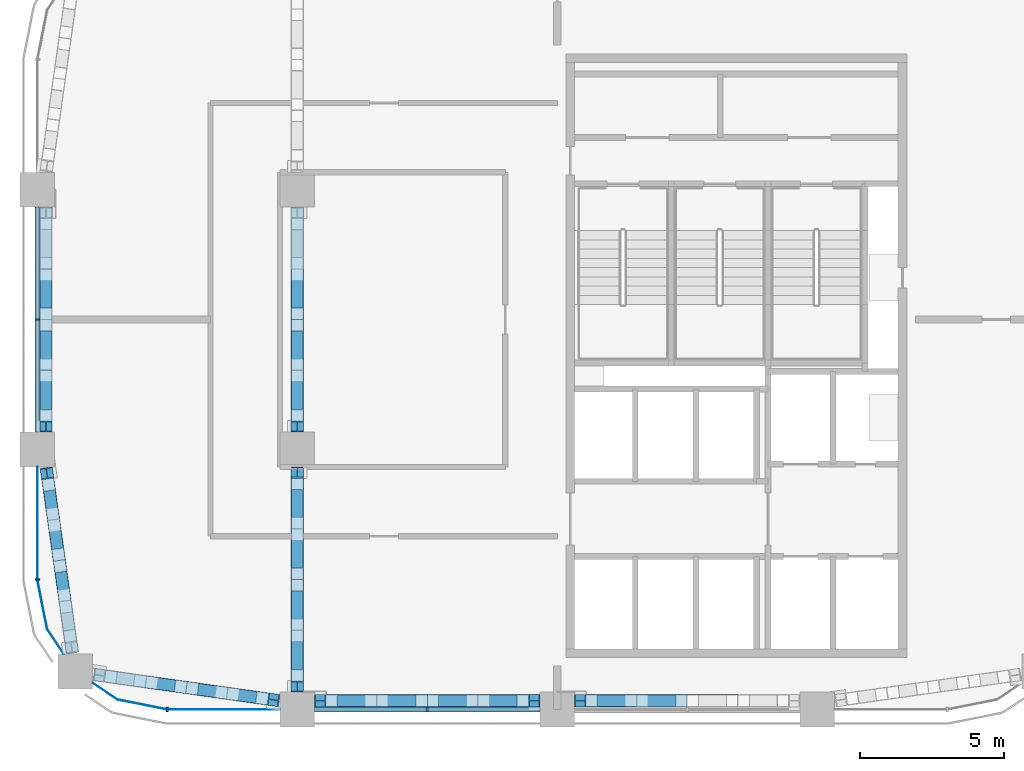
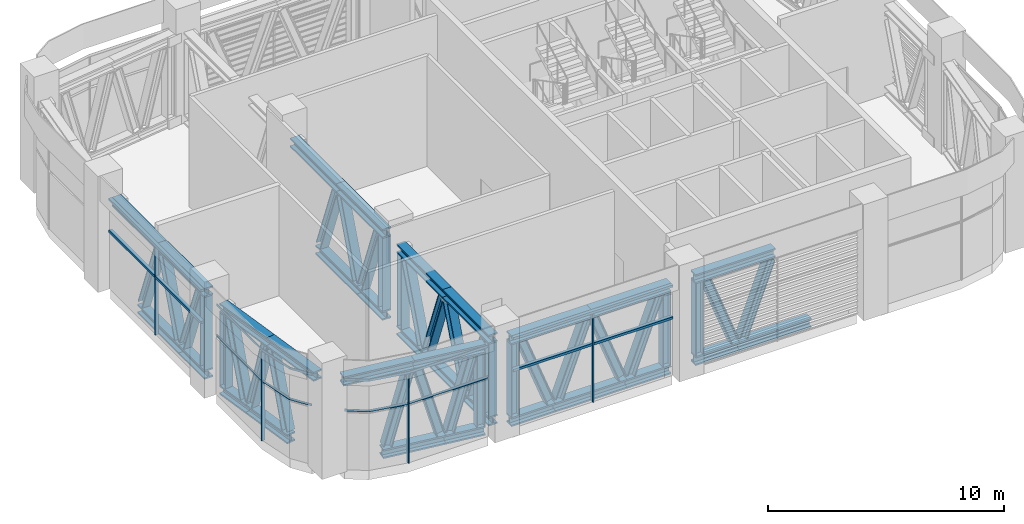
# One storey, part 2 of 14: 72 members, 4 elements without a shape of their own.
"""IFC4 building model written with IfcOpenShell, lengths in metres."""

from ifc_helpers import new_model, si_unit, direction, frame, origin, origin_2d, place, context, subcontext, project, spatial, polyline, rectangle, i_section, outline, extrude, material, material_profile, profile_set, type_object, element, aggregate, save


model = new_model("IFC4")

# Units and contexts
model_context = context("Model", 3, precision=1e-05, world=origin(), true_north=direction((0.0, 1.0)))
body_context = subcontext(model_context, "Body", "Model", "MODEL_VIEW")
ifc_project = project(units=[si_unit("LENGTHUNIT", "METRE"), si_unit("AREAUNIT", "SQUARE_METRE"), si_unit("VOLUMEUNIT", "CUBIC_METRE"), si_unit("PLANEANGLEUNIT", "RADIAN"), si_unit("MASSUNIT", "GRAM", prefix="KILO")], contexts=[model_context])

# Site, building, storey
site_placement = place(None, origin())
site = spatial("IfcSite", under=ifc_project, at=site_placement, CompositionType="ELEMENT")
building_placement = place(site_placement, origin())
building = spatial("IfcBuilding", under=site, at=building_placement, Name="Tessera Arch", CompositionType="ELEMENT")
storey_placement = place(building_placement, frame((0.0, 0.0, 295.199951171875)))
storey = spatial("IfcBuildingStorey", under=building, at=storey_placement, Name="L71", CompositionType="ELEMENT", Elevation=295.199951171875)

# Curtain wall, member
ifc_material_1 = material(Name="CW7 curtain wall")
curtain_wall_type = type_object("IfcCurtainWallType", Name="CW7 curtain wall", PredefinedType="NOTDEFINED", material=ifc_material_1)
curtain_wall_1_placement = place(storey_placement, origin())
curtain_wall_1 = element("IfcCurtainWall", 1, at=curtain_wall_1_placement, inside=storey, type_object=curtain_wall_type, Name="CW7 curtain wall W18.27/1 L71", PredefinedType="NOTDEFINED")
ifc_material_2 = material(Name="Anodised aluminium pale metal", Category="aluminium")
ifc_material_profile_1 = material_profile(ifc_material_2, rectangle(XDim=0.159912109375, YDim=0.06005859375, at=origin_2d()), Name="AL 60x160")
ifc_profile_set_1 = profile_set([ifc_material_profile_1], Name="Anodised aluminium pale metal")
member_type_1 = type_object("IfcMemberType", Name="CW7 mullion", PredefinedType="MULLION", material=ifc_profile_set_1)
member_1_placement = place(storey_placement, frame((18.0, 40.5, 0.0), z_axis=(0.0, 0.0, 1.0), x_axis=(1.0, 0.0, 0.0)))
member_1 = element("IfcMember", 2, at=member_1_placement, type_object=member_type_1, Name="CW7 mullion W18.27/1 1", PredefinedType="MULLION", context=body_context, shape_type="SweptSolid", body=[
    extrude(rectangle(XDim=0.159912109375, YDim=0.06005859375, at=origin_2d()), origin(), (0.0, 0.0, 1.0), 4.580078125),
])

curtain_wall_2_placement = place(storey_placement, origin())
curtain_wall_2 = element("IfcCurtainWall", 3, at=curtain_wall_2_placement, inside=storey, type_object=curtain_wall_type, Name="CW7 curtain wall W18.27/2 L71", PredefinedType="NOTDEFINED")
member_2_placement = place(storey_placement, frame((18.0, 31.5, 0.0), z_axis=(0.0, 0.0, 1.0), x_axis=(1.0, 0.0, 0.0)))
member_2 = element("IfcMember", 4, at=member_2_placement, type_object=member_type_1, Name="CW7 mullion W18.27/2 1", PredefinedType="MULLION", context=body_context, shape_type="SweptSolid", body=[
    extrude(rectangle(XDim=0.159912109375, YDim=0.06005859375, at=origin_2d()), origin(), (0.0, 0.0, 1.0), 4.580078125),
])

curtain_wall_3_placement = place(storey_placement, origin())
curtain_wall_3 = element("IfcCurtainWall", 5, at=curtain_wall_3_placement, inside=storey, type_object=curtain_wall_type, Name="CW7 curtain wall S27.18/0 L71", PredefinedType="NOTDEFINED")
member_3_placement = place(storey_placement, frame((22.5, 27.0, 0.0), z_axis=(0.0, 0.0, 1.0), x_axis=(0.0, 1.0, 0.0)))
member_3 = element("IfcMember", 6, at=member_3_placement, type_object=member_type_1, Name="CW7 mullion S27.18/0 1", PredefinedType="MULLION", context=body_context, shape_type="SweptSolid", body=[
    extrude(rectangle(XDim=0.159912109375, YDim=0.06005859375, at=origin_2d()), origin(), (0.0, 0.0, 1.0), 4.580078125),
])

curtain_wall_4_placement = place(storey_placement, origin())
curtain_wall_4 = element("IfcCurtainWall", 7, at=curtain_wall_4_placement, inside=storey, type_object=curtain_wall_type, Name="CW7 curtain wall S27.18/1 L71", PredefinedType="NOTDEFINED")
member_4_placement = place(storey_placement, frame((31.5, 27.0, 0.0), z_axis=(0.0, 0.0, 1.0), x_axis=(0.0, 1.0, 0.0)))
member_4 = element("IfcMember", 8, at=member_4_placement, type_object=member_type_1, Name="CW7 mullion S27.18/1 1", PredefinedType="MULLION", context=body_context, shape_type="SweptSolid", body=[
    extrude(rectangle(XDim=0.159912109375, YDim=0.06005859375, at=origin_2d()), origin(), (0.0, 0.0, 1.0), 4.580078125),
])

# Member
ifc_material_3 = material(Name="Anodised aluminium pale metal", Category="aluminium")
ifc_material_profile_2 = material_profile(ifc_material_3, rectangle(XDim=0.159912109375, YDim=0.1201171875, at=origin_2d()), Name="AL 160x120")
ifc_profile_set_2 = profile_set([ifc_material_profile_2], Name="Anodised aluminium pale metal")
member_type_2 = type_object("IfcMemberType", Name="CW7 transom", PredefinedType="USERDEFINED", material=ifc_profile_set_2)
member_5_placement = place(storey_placement, frame((18.0, 44.39990234375, 4.64013671875), z_axis=(0.0, -1.0, 0.0), x_axis=(1.0, 0.0, 0.0)))
member_5 = element("IfcMember", 9, at=member_5_placement, type_object=member_type_2, Name="CW7 transom W18.27/1 1.1", ObjectType="TRANSOM", PredefinedType="USERDEFINED", context=body_context, shape_type="SweptSolid", body=[
    extrude(rectangle(XDim=0.159912109375, YDim=0.1201171875, at=origin_2d()), origin(), (0.0, 0.0, 1.0), 7.7998046875),
])

member_6_placement = place(storey_placement, frame((18.0, 44.39990234375, 3.0), z_axis=(0.0, -1.0, 0.0), x_axis=(1.0, 0.0, 0.0)))
member_6 = element("IfcMember", 10, at=member_6_placement, type_object=member_type_2, Name="CW7 transom W18.27/1 2.1", ObjectType="TRANSOM", PredefinedType="USERDEFINED", context=body_context, shape_type="SweptSolid", body=[
    extrude(rectangle(XDim=0.159912109375, YDim=0.1201171875, at=origin_2d()), origin(), (0.0, 0.0, 1.0), 7.7998046875),
])

aggregate(curtain_wall_1, [member_1, member_5, member_6])

member_7_placement = place(storey_placement, frame((0.0, 0.0, 3.0)))
member_7 = element("IfcMember", 11, at=member_7_placement, type_object=member_type_2, Name="CW7 transom W18.27/2 1", ObjectType="TRANSOM", PredefinedType="USERDEFINED", context=body_context, shape_type="SweptSolid", body=[
    extrude(outline(polyline([(18.010009765625, 31.5009765625), (18.010009765625, 35.39990234375), (17.989990234375, 35.39990234375), (17.989990234375, 31.4990234375), (18.3330078125, 29.77392578125), (18.90869140625, 28.912353515625), (18.92529296875, 28.923583984375), (18.351806640625, 29.78173828125), (18.010009765625, 31.5009765625)])), origin(), (0.0, 0.0, 1.0), 0.1201171875),
])

member_8_placement = place(storey_placement, frame((0.0, 0.0, 4.580078125)))
member_8 = element("IfcMember", 12, at=member_8_placement, type_object=member_type_2, Name="CW7 transom W18.27/2 2", ObjectType="TRANSOM", PredefinedType="USERDEFINED", context=body_context, shape_type="SweptSolid", body=[
    extrude(outline(polyline([(18.010009765625, 31.5009765625), (18.010009765625, 35.39990234375), (17.989990234375, 35.39990234375), (17.989990234375, 31.4990234375), (18.3330078125, 29.77392578125), (18.90869140625, 28.912353515625), (18.92529296875, 28.923583984375), (18.351806640625, 29.78173828125), (18.010009765625, 31.5009765625)])), origin(), (0.0, 0.0, 1.0), 0.119873046875),
])

aggregate(curtain_wall_2, [member_2, member_7, member_8])

member_9_placement = place(storey_placement, frame((0.0, 0.0, 3.0)))
member_9 = element("IfcMember", 13, at=member_9_placement, type_object=member_type_2, Name="CW7 transom S27.18/0 1", ObjectType="TRANSOM", PredefinedType="USERDEFINED", context=body_context, shape_type="SweptSolid", body=[
    extrude(outline(polyline([(20.78173828125, 27.351806640625), (19.923583984375, 27.92529296875), (19.912353515625, 27.90869140625), (20.77392578125, 27.3330078125), (22.4990234375, 26.989990234375), (26.39990234375, 26.989990234375), (26.39990234375, 27.010009765625), (22.5009765625, 27.010009765625), (20.78173828125, 27.351806640625)])), origin(), (0.0, 0.0, 1.0), 0.1201171875),
])

member_10_placement = place(storey_placement, frame((0.0, 0.0, 4.580078125)))
member_10 = element("IfcMember", 14, at=member_10_placement, type_object=member_type_2, Name="CW7 transom S27.18/0 2", ObjectType="TRANSOM", PredefinedType="USERDEFINED", context=body_context, shape_type="SweptSolid", body=[
    extrude(outline(polyline([(20.78173828125, 27.351806640625), (19.923583984375, 27.92529296875), (19.912353515625, 27.90869140625), (20.77392578125, 27.3330078125), (22.4990234375, 26.989990234375), (26.39990234375, 26.989990234375), (26.39990234375, 27.010009765625), (22.5009765625, 27.010009765625), (20.78173828125, 27.351806640625)])), origin(), (0.0, 0.0, 1.0), 0.119873046875),
])

aggregate(curtain_wall_3, [member_3, member_9, member_10])

member_11_placement = place(storey_placement, frame((27.60009765625, 27.0, 4.64013671875), z_axis=(1.0, 0.0, 0.0), x_axis=(0.0, 1.0, 0.0)))
member_11 = element("IfcMember", 15, at=member_11_placement, type_object=member_type_2, Name="CW7 transom S27.18/1 1.1", ObjectType="TRANSOM", PredefinedType="USERDEFINED", context=body_context, shape_type="SweptSolid", body=[
    extrude(rectangle(XDim=0.159912109375, YDim=0.1201171875, at=origin_2d()), origin(), (0.0, 0.0, 1.0), 7.7998046875),
])

member_12_placement = place(storey_placement, frame((27.60009765625, 27.0, 3.0), z_axis=(1.0, 0.0, 0.0), x_axis=(0.0, 1.0, 0.0)))
member_12 = element("IfcMember", 16, at=member_12_placement, type_object=member_type_2, Name="CW7 transom S27.18/1 2.1", ObjectType="TRANSOM", PredefinedType="USERDEFINED", context=body_context, shape_type="SweptSolid", body=[
    extrude(rectangle(XDim=0.159912109375, YDim=0.1201171875, at=origin_2d()), origin(), (0.0, 0.0, 1.0), 7.7998046875),
])

aggregate(curtain_wall_4, [member_4, member_11, member_12])

# Members
ifc_material_4 = material(Name="Steel A992 Gr50", Category="steel")
ifc_material_profile_3 = material_profile(ifc_material_4, i_section(OverallWidth=0.424072265625, OverallDepth=0.47412109375, WebThickness=0.047607421875, FlangeThickness=0.0771484375, at=origin_2d()), Name="W14x426")
ifc_profile_set_3 = profile_set([ifc_material_profile_3], Name="Steel A992 Gr50")
member_type_3 = type_object("IfcMemberType", Name="Truss chord W14x426", PredefinedType="CHORD", material=ifc_profile_set_3)
for number, where, z_axis, x_axis, name in (
    (17, (18.300048828125, 44.39990234375, 4.462890625), (0.0, -1.0, 0.0), (1.0, 0.0, 0.0), "Belt truss top chord 1"),
    (18, (18.300048828125, 40.5, 4.462890625), (0.0, -1.0, 0.0), (1.0, 0.0, 0.0), "Belt truss top chord 2"),
):
    element("IfcMember", number, at=place(storey_placement, frame(where, z_axis=z_axis, x_axis=x_axis)), inside=storey, type_object=member_type_3, Name=name, PredefinedType="CHORD", context=body_context, shape_type="SweptSolid", body=[
        extrude(i_section(OverallWidth=0.424072265625, OverallDepth=0.47412109375, WebThickness=0.047607421875, FlangeThickness=0.0771484375, at=origin_2d()), origin(), (0.0, 0.0, 1.0), 3.89990234375),
    ])
member_13_placement = place(storey_placement, frame((18.300048828125, 42.253173828125, 0.237060546875), z_axis=(0.0, -1.0, 0.0), x_axis=(1.0, 0.0, 0.0)))
element("IfcMember", 19, at=member_13_placement, inside=storey, type_object=member_type_3, Name="Belt truss bottom chord 2", PredefinedType="CHORD", context=body_context, shape_type="SweptSolid", body=[
    extrude(i_section(OverallWidth=0.424072265625, OverallDepth=0.47412109375, WebThickness=0.047607421875, FlangeThickness=0.0771484375, at=origin_2d()), origin(), (0.0, 0.0, 1.0), 3.50634765625),
])
member_14_placement = place(storey_placement, frame((18.300048828125, 38.746826171875, 0.237060546875), z_axis=(0.0, -1.0, 0.0), x_axis=(1.0, 0.0, 0.0)))
element("IfcMember", 20, at=member_14_placement, inside=storey, type_object=member_type_3, Name="Belt truss bottom chord 3", PredefinedType="CHORD", context=body_context, shape_type="SweptSolid", body=[
    extrude(i_section(OverallWidth=0.424072265625, OverallDepth=0.47412109375, WebThickness=0.047607421875, FlangeThickness=0.0771484375, at=origin_2d()), origin(), (0.0, 0.0, 1.0), 2.146728515625),
])
member_15_placement = place(storey_placement, frame((18.30712890625, 35.370361328125, 4.462890625), z_axis=(0.140133038281, -0.990132683827, 0.0), x_axis=(0.990132683827, 0.140133038281, 0.0)))
element("IfcMember", 21, at=member_15_placement, inside=storey, type_object=member_type_3, Name="Belt truss top chord 1", PredefinedType="CHORD", context=body_context, shape_type="SweptSolid", body=[
    extrude(i_section(OverallWidth=0.424072265625, OverallDepth=0.47412109375, WebThickness=0.047607421875, FlangeThickness=0.0771484375, at=origin_2d()), origin(), (0.0, 0.0, 1.0), 3.237060546875),
])
member_16_placement = place(storey_placement, frame((18.7607421875, 32.165283203125, 4.462890625), z_axis=(0.140048638065, -0.990144625283, 0.0), x_axis=(0.990144625283, 0.140048638065, 0.0)))
element("IfcMember", 22, at=member_16_placement, inside=storey, type_object=member_type_3, Name="Belt truss top chord 2", PredefinedType="CHORD", context=body_context, shape_type="SweptSolid", body=[
    extrude(i_section(OverallWidth=0.424072265625, OverallDepth=0.47412109375, WebThickness=0.047607421875, FlangeThickness=0.0771484375, at=origin_2d()), origin(), (0.0, 0.0, 1.0), 3.2373046875),
])
member_17_placement = place(storey_placement, frame((18.30712890625, 35.370361328125, 0.237060546875), z_axis=(0.140122212815, -0.99013421589, 0.0), x_axis=(0.99013421589, 0.140122212815, 0.0)))
element("IfcMember", 23, at=member_17_placement, inside=storey, type_object=member_type_3, Name="Belt truss bottom chord 1", PredefinedType="CHORD", context=body_context, shape_type="SweptSolid", body=[
    extrude(i_section(OverallWidth=0.424072265625, OverallDepth=0.47412109375, WebThickness=0.047607421875, FlangeThickness=0.0771484375, at=origin_2d()), origin(), (0.0, 0.0, 1.0), 1.8154296875),
])
member_18_placement = place(storey_placement, frame((18.5615234375, 33.57275390625, 0.237060546875), z_axis=(0.140050766866, -0.990144324177, 0.0), x_axis=(0.990144324177, 0.140050766866, 0.0)))
element("IfcMember", 24, at=member_18_placement, inside=storey, type_object=member_type_3, Name="Belt truss bottom chord 2", PredefinedType="CHORD", context=body_context, shape_type="SweptSolid", body=[
    extrude(i_section(OverallWidth=0.424072265625, OverallDepth=0.47412109375, WebThickness=0.047607421875, FlangeThickness=0.0771484375, at=origin_2d()), origin(), (0.0, 0.0, 1.0), 2.84326171875),
])
member_19_placement = place(storey_placement, frame((19.9599609375, 28.214111328125, 4.462890625), z_axis=(0.990144625283, -0.140048638065, 0.0), x_axis=(0.140048638065, 0.990144625283, 0.0)))
element("IfcMember", 25, at=member_19_placement, inside=storey, type_object=member_type_3, Name="Belt truss top chord 1", PredefinedType="CHORD", context=body_context, shape_type="SweptSolid", body=[
    extrude(i_section(OverallWidth=0.424072265625, OverallDepth=0.47412109375, WebThickness=0.047607421875, FlangeThickness=0.0771484375, at=origin_2d()), origin(), (0.0, 0.0, 1.0), 3.2373046875),
])
member_20_placement = place(storey_placement, frame((23.165283203125, 27.7607421875, 4.462890625), z_axis=(0.990132683827, -0.140133038281, 0.0), x_axis=(0.140133038281, 0.990132683827, 0.0)))
element("IfcMember", 26, at=member_20_placement, inside=storey, type_object=member_type_3, Name="Belt truss top chord 2", PredefinedType="CHORD", context=body_context, shape_type="SweptSolid", body=[
    extrude(i_section(OverallWidth=0.424072265625, OverallDepth=0.47412109375, WebThickness=0.047607421875, FlangeThickness=0.0771484375, at=origin_2d()), origin(), (0.0, 0.0, 1.0), 3.237060546875),
])
member_21_placement = place(storey_placement, frame((21.757568359375, 27.959716796875, 0.237060546875), z_axis=(0.990144324177, -0.140050766866, 0.0), x_axis=(0.140050766866, 0.990144324177, 0.0)))
element("IfcMember", 27, at=member_21_placement, inside=storey, type_object=member_type_3, Name="Belt truss bottom chord 2", PredefinedType="CHORD", context=body_context, shape_type="SweptSolid", body=[
    extrude(i_section(OverallWidth=0.424072265625, OverallDepth=0.47412109375, WebThickness=0.047607421875, FlangeThickness=0.0771484375, at=origin_2d()), origin(), (0.0, 0.0, 1.0), 2.84326171875),
])
member_22_placement = place(storey_placement, frame((24.57275390625, 27.5615234375, 0.237060546875), z_axis=(0.99013421589, -0.140122212815, 0.0), x_axis=(0.140122212815, 0.99013421589, 0.0)))
element("IfcMember", 28, at=member_22_placement, inside=storey, type_object=member_type_3, Name="Belt truss bottom chord 3", PredefinedType="CHORD", context=body_context, shape_type="SweptSolid", body=[
    extrude(i_section(OverallWidth=0.424072265625, OverallDepth=0.47412109375, WebThickness=0.047607421875, FlangeThickness=0.0771484375, at=origin_2d()), origin(), (0.0, 0.0, 1.0), 1.8154296875),
])
for number, where, z_axis, x_axis, name in (
    (29, (27.60009765625, 27.300048828125, 4.462890625), (1.0, 0.0, 0.0), (0.0, 1.0, 0.0), "Belt truss top chord 1"),
    (30, (31.5, 27.300048828125, 4.462890625), (1.0, 0.0, 0.0), (0.0, 1.0, 0.0), "Belt truss top chord 2"),
):
    element("IfcMember", number, at=place(storey_placement, frame(where, z_axis=z_axis, x_axis=x_axis)), inside=storey, type_object=member_type_3, Name=name, PredefinedType="CHORD", context=body_context, shape_type="SweptSolid", body=[
        extrude(i_section(OverallWidth=0.424072265625, OverallDepth=0.47412109375, WebThickness=0.047607421875, FlangeThickness=0.0771484375, at=origin_2d()), origin(), (0.0, 0.0, 1.0), 3.89990234375),
    ])
member_23_placement = place(storey_placement, frame((27.60009765625, 27.300048828125, 0.237060546875), z_axis=(1.0, 0.0, 0.0), x_axis=(0.0, 1.0, 0.0)))
element("IfcMember", 31, at=member_23_placement, inside=storey, type_object=member_type_3, Name="Belt truss bottom chord 1", PredefinedType="CHORD", context=body_context, shape_type="SweptSolid", body=[
    extrude(i_section(OverallWidth=0.424072265625, OverallDepth=0.47412109375, WebThickness=0.047607421875, FlangeThickness=0.0771484375, at=origin_2d()), origin(), (0.0, 0.0, 1.0), 2.146728515625),
])
member_24_placement = place(storey_placement, frame((29.746826171875, 27.300048828125, 0.237060546875), z_axis=(1.0, 0.0, 0.0), x_axis=(0.0, 1.0, 0.0)))
element("IfcMember", 32, at=member_24_placement, inside=storey, type_object=member_type_3, Name="Belt truss bottom chord 2", PredefinedType="CHORD", context=body_context, shape_type="SweptSolid", body=[
    extrude(i_section(OverallWidth=0.424072265625, OverallDepth=0.47412109375, WebThickness=0.047607421875, FlangeThickness=0.0771484375, at=origin_2d()), origin(), (0.0, 0.0, 1.0), 3.50634765625),
])
member_25_placement = place(storey_placement, frame((33.253173828125, 27.300048828125, 0.237060546875), z_axis=(1.0, 0.0, 0.0), x_axis=(0.0, 1.0, 0.0)))
element("IfcMember", 33, at=member_25_placement, inside=storey, type_object=member_type_3, Name="Belt truss bottom chord 3", PredefinedType="CHORD", context=body_context, shape_type="SweptSolid", body=[
    extrude(i_section(OverallWidth=0.424072265625, OverallDepth=0.47412109375, WebThickness=0.047607421875, FlangeThickness=0.0771484375, at=origin_2d()), origin(), (0.0, 0.0, 1.0), 2.146728515625),
])
member_26_placement = place(storey_placement, frame((36.60009765625, 27.300048828125, 4.462890625), z_axis=(1.0, 0.0, 0.0), x_axis=(0.0, 1.0, 0.0)))
element("IfcMember", 34, at=member_26_placement, inside=storey, type_object=member_type_3, Name="Belt truss top chord 1", PredefinedType="CHORD", context=body_context, shape_type="SweptSolid", body=[
    extrude(i_section(OverallWidth=0.424072265625, OverallDepth=0.47412109375, WebThickness=0.047607421875, FlangeThickness=0.0771484375, at=origin_2d()), origin(), (0.0, 0.0, 1.0), 3.89990234375),
])
member_27_placement = place(storey_placement, frame((36.60009765625, 27.300048828125, 0.237060546875), z_axis=(1.0, 0.0, 0.0), x_axis=(0.0, 1.0, 0.0)))
element("IfcMember", 35, at=member_27_placement, inside=storey, type_object=member_type_3, Name="Belt truss bottom chord 1", PredefinedType="CHORD", context=body_context, shape_type="SweptSolid", body=[
    extrude(i_section(OverallWidth=0.424072265625, OverallDepth=0.47412109375, WebThickness=0.047607421875, FlangeThickness=0.0771484375, at=origin_2d()), origin(), (0.0, 0.0, 1.0), 2.146728515625),
])
member_28_placement = place(storey_placement, frame((38.746826171875, 27.300048828125, 0.237060546875), z_axis=(1.0, 0.0, 0.0), x_axis=(0.0, 1.0, 0.0)))
element("IfcMember", 36, at=member_28_placement, inside=storey, type_object=member_type_3, Name="Belt truss bottom chord 2", PredefinedType="CHORD", context=body_context, shape_type="SweptSolid", body=[
    extrude(i_section(OverallWidth=0.424072265625, OverallDepth=0.47412109375, WebThickness=0.047607421875, FlangeThickness=0.0771484375, at=origin_2d()), origin(), (0.0, 0.0, 1.0), 3.50634765625),
])
for number, where, z_axis, x_axis, name in (
    (37, (27.0, 27.60009765625, 4.462890625), (0.0, 1.0, 0.0), (-1.0, 0.0, 0.0), "Belt truss top chord 1"),
    (38, (27.0, 31.5, 4.462890625), (0.0, 1.0, 0.0), (-1.0, 0.0, 0.0), "Belt truss top chord 2"),
):
    element("IfcMember", number, at=place(storey_placement, frame(where, z_axis=z_axis, x_axis=x_axis)), inside=storey, type_object=member_type_3, Name=name, PredefinedType="CHORD", context=body_context, shape_type="SweptSolid", body=[
        extrude(i_section(OverallWidth=0.424072265625, OverallDepth=0.47412109375, WebThickness=0.047607421875, FlangeThickness=0.0771484375, at=origin_2d()), origin(), (0.0, 0.0, 1.0), 3.89990234375),
    ])
member_29_placement = place(storey_placement, frame((27.0, 27.60009765625, 0.237060546875), z_axis=(0.0, 1.0, 0.0), x_axis=(-1.0, 0.0, 0.0)))
element("IfcMember", 39, at=member_29_placement, inside=storey, type_object=member_type_3, Name="Belt truss bottom chord 1", PredefinedType="CHORD", context=body_context, shape_type="SweptSolid", body=[
    extrude(i_section(OverallWidth=0.424072265625, OverallDepth=0.47412109375, WebThickness=0.047607421875, FlangeThickness=0.0771484375, at=origin_2d()), origin(), (0.0, 0.0, 1.0), 2.146728515625),
])
member_30_placement = place(storey_placement, frame((27.0, 29.746826171875, 0.237060546875), z_axis=(0.0, 1.0, 0.0), x_axis=(-1.0, 0.0, 0.0)))
element("IfcMember", 40, at=member_30_placement, inside=storey, type_object=member_type_3, Name="Belt truss bottom chord 2", PredefinedType="CHORD", context=body_context, shape_type="SweptSolid", body=[
    extrude(i_section(OverallWidth=0.424072265625, OverallDepth=0.47412109375, WebThickness=0.047607421875, FlangeThickness=0.0771484375, at=origin_2d()), origin(), (0.0, 0.0, 1.0), 3.50634765625),
])
member_31_placement = place(storey_placement, frame((27.0, 33.253173828125, 0.237060546875), z_axis=(0.0, 1.0, 0.0), x_axis=(-1.0, 0.0, 0.0)))
element("IfcMember", 41, at=member_31_placement, inside=storey, type_object=member_type_3, Name="Belt truss bottom chord 3", PredefinedType="CHORD", context=body_context, shape_type="SweptSolid", body=[
    extrude(i_section(OverallWidth=0.424072265625, OverallDepth=0.47412109375, WebThickness=0.047607421875, FlangeThickness=0.0771484375, at=origin_2d()), origin(), (0.0, 0.0, 1.0), 2.146728515625),
])
for number, where, z_axis, x_axis, name in (
    (42, (27.0, 36.60009765625, 4.462890625), (0.0, 1.0, 0.0), (-1.0, 0.0, 0.0), "Belt truss top chord 1"),
    (43, (27.0, 40.5, 4.462890625), (0.0, 1.0, 0.0), (-1.0, 0.0, 0.0), "Belt truss top chord 2"),
):
    element("IfcMember", number, at=place(storey_placement, frame(where, z_axis=z_axis, x_axis=x_axis)), inside=storey, type_object=member_type_3, Name=name, PredefinedType="CHORD", context=body_context, shape_type="SweptSolid", body=[
        extrude(i_section(OverallWidth=0.424072265625, OverallDepth=0.47412109375, WebThickness=0.047607421875, FlangeThickness=0.0771484375, at=origin_2d()), origin(), (0.0, 0.0, 1.0), 3.89990234375),
    ])
member_32_placement = place(storey_placement, frame((27.0, 36.60009765625, 0.237060546875), z_axis=(0.0, 1.0, 0.0), x_axis=(-1.0, 0.0, 0.0)))
element("IfcMember", 44, at=member_32_placement, inside=storey, type_object=member_type_3, Name="Belt truss bottom chord 1", PredefinedType="CHORD", context=body_context, shape_type="SweptSolid", body=[
    extrude(i_section(OverallWidth=0.424072265625, OverallDepth=0.47412109375, WebThickness=0.047607421875, FlangeThickness=0.0771484375, at=origin_2d()), origin(), (0.0, 0.0, 1.0), 2.146728515625),
])
member_33_placement = place(storey_placement, frame((27.0, 38.746826171875, 0.237060546875), z_axis=(0.0, 1.0, 0.0), x_axis=(-1.0, 0.0, 0.0)))
element("IfcMember", 45, at=member_33_placement, inside=storey, type_object=member_type_3, Name="Belt truss bottom chord 2", PredefinedType="CHORD", context=body_context, shape_type="SweptSolid", body=[
    extrude(i_section(OverallWidth=0.424072265625, OverallDepth=0.47412109375, WebThickness=0.047607421875, FlangeThickness=0.0771484375, at=origin_2d()), origin(), (0.0, 0.0, 1.0), 3.50634765625),
])
ifc_material_5 = material(Name="Steel A992 Gr50", Category="steel")
ifc_material_profile_4 = material_profile(ifc_material_5, i_section(OverallWidth=0.406494140625, OverallDepth=0.41650390625, WebThickness=0.030029296875, FlangeThickness=0.048095703125, at=origin_2d()), Name="W14x257")
ifc_profile_set_4 = profile_set([ifc_material_profile_4], Name="Steel A992 Gr50")
member_type_4 = type_object("IfcMemberType", Name="Truss diagonal W14x257", PredefinedType="BRACE", material=ifc_profile_set_4)
for number, where, z_axis, x_axis, name in (
    (46, (18.300048828125, 42.052001953125, 0.564697265625), (0.0, -0.353848249837, 0.935302847257), (1.0, 0.0, 0.0), "Belt truss diagonal 2"),
    (47, (18.300048828125, 40.298828125, 4.13525390625), (0.0, -0.353848249837, -0.935302847257), (1.0, 0.0, 0.0), "Belt truss diagonal 3"),
    (48, (18.300048828125, 38.545654296875, 0.564697265625), (0.0, -0.353848249837, 0.935302847257), (1.0, 0.0, 0.0), "Belt truss diagonal 4"),
):
    element("IfcMember", number, at=place(storey_placement, frame(where, z_axis=z_axis, x_axis=x_axis)), inside=storey, type_object=member_type_4, Name=name, PredefinedType="BRACE", context=body_context, shape_type="SweptSolid", body=[
        extrude(i_section(OverallWidth=0.406494140625, OverallDepth=0.41650390625, WebThickness=0.030029296875, FlangeThickness=0.048095703125, at=origin_2d()), origin(), (0.0, 0.0, 1.0), 3.817626953125),
    ])
for number, where, z_axis, x_axis, name in (
    (49, (18.39111328125, 34.777099609375, 4.15234375), (0.037825862853, -0.267324503165, -0.96286386063), (0.990137028576, 0.14010233632, 0.0), "Belt truss diagonal 1"),
    (50, (18.59033203125, 33.369384765625, 0.5478515625), (0.037825862853, -0.267324503165, 0.96286386063), (0.990137028576, 0.14010233632, 0.0), "Belt truss diagonal 2"),
):
    element("IfcMember", number, at=place(storey_placement, frame(where, z_axis=z_axis, x_axis=x_axis)), inside=storey, type_object=member_type_4, Name=name, PredefinedType="BRACE", context=body_context, shape_type="SweptSolid", body=[
        extrude(i_section(OverallWidth=0.406494140625, OverallDepth=0.41650390625, WebThickness=0.030029296875, FlangeThickness=0.048095703125, at=origin_2d()), origin(), (0.0, 0.0, 1.0), 3.743408203125),
    ])
for number, where, z_axis, x_axis, name in (
    (51, (18.78955078125, 31.9619140625, 4.15234375), (0.03782520333, -0.267385058023, -0.962847072353), (0.990141768293, 0.140068835515, 0.0), "Belt truss diagonal 3"),
    (52, (21.9609375, 27.93115234375, 0.5478515625), (0.267385058023, -0.03782520333, 0.962847072353), (0.140068835515, 0.990141768293, 0.0), "Belt truss diagonal 2"),
):
    element("IfcMember", number, at=place(storey_placement, frame(where, z_axis=z_axis, x_axis=x_axis)), inside=storey, type_object=member_type_4, Name=name, PredefinedType="BRACE", context=body_context, shape_type="SweptSolid", body=[
        extrude(i_section(OverallWidth=0.406494140625, OverallDepth=0.41650390625, WebThickness=0.030029296875, FlangeThickness=0.048095703125, at=origin_2d()), origin(), (0.0, 0.0, 1.0), 3.74365234375),
    ])
for number, where, z_axis, x_axis, name in (
    (53, (23.36865234375, 27.73193359375, 4.15234375), (0.267324503165, -0.037825862853, -0.96286386063), (0.14010233632, 0.990137028576, 0.0), "Belt truss diagonal 3"),
    (54, (24.7763671875, 27.53271484375, 0.5478515625), (0.267324503165, -0.037825862853, 0.96286386063), (0.14010233632, 0.990137028576, 0.0), "Belt truss diagonal 4"),
):
    element("IfcMember", number, at=place(storey_placement, frame(where, z_axis=z_axis, x_axis=x_axis)), inside=storey, type_object=member_type_4, Name=name, PredefinedType="BRACE", context=body_context, shape_type="SweptSolid", body=[
        extrude(i_section(OverallWidth=0.406494140625, OverallDepth=0.41650390625, WebThickness=0.030029296875, FlangeThickness=0.048095703125, at=origin_2d()), origin(), (0.0, 0.0, 1.0), 3.743408203125),
    ])
for number, where, z_axis, x_axis, name in (
    (55, (28.19482421875, 27.300048828125, 4.13525390625), (0.353848249837, 0.0, -0.935302847257), (0.0, 1.0, 0.0), "Belt truss diagonal 1"),
    (56, (29.947998046875, 27.300048828125, 0.564697265625), (0.353848249837, 0.0, 0.935302847257), (0.0, 1.0, 0.0), "Belt truss diagonal 2"),
    (57, (31.701171875, 27.300048828125, 4.13525390625), (0.353848249837, 0.0, -0.935302847257), (0.0, 1.0, 0.0), "Belt truss diagonal 3"),
    (58, (33.454345703125, 27.300048828125, 0.564697265625), (0.353848249837, 0.0, 0.935302847257), (0.0, 1.0, 0.0), "Belt truss diagonal 4"),
    (59, (37.19482421875, 27.300048828125, 4.13525390625), (0.353848249837, 0.0, -0.935302847257), (0.0, 1.0, 0.0), "Belt truss diagonal 1"),
    (60, (38.947998046875, 27.300048828125, 0.564697265625), (0.353848249837, 0.0, 0.935302847257), (0.0, 1.0, 0.0), "Belt truss diagonal 2"),
):
    element("IfcMember", number, at=place(storey_placement, frame(where, z_axis=z_axis, x_axis=x_axis)), inside=storey, type_object=member_type_4, Name=name, PredefinedType="BRACE", context=body_context, shape_type="SweptSolid", body=[
        extrude(i_section(OverallWidth=0.406494140625, OverallDepth=0.41650390625, WebThickness=0.030029296875, FlangeThickness=0.048095703125, at=origin_2d()), origin(), (0.0, 0.0, 1.0), 3.817626953125),
    ])
member_34_placement = place(storey_placement, frame((27.0, 28.195068359375, 4.13525390625), z_axis=(0.0, 0.353792302988, -0.935324011424), x_axis=(-1.0, 0.0, 0.0)))
element("IfcMember", 61, at=member_34_placement, inside=storey, type_object=member_type_4, Name="Belt truss diagonal 1", PredefinedType="BRACE", context=body_context, shape_type="SweptSolid", body=[
    extrude(i_section(OverallWidth=0.406494140625, OverallDepth=0.41650390625, WebThickness=0.030029296875, FlangeThickness=0.048095703125, at=origin_2d()), origin(), (0.0, 0.0, 1.0), 3.8173828125),
])
for number, where, z_axis, x_axis, name in (
    (62, (27.0, 29.947998046875, 0.564697265625), (0.0, 0.353848249837, 0.935302847257), (-1.0, 0.0, 0.0), "Belt truss diagonal 2"),
    (63, (27.0, 31.701171875, 4.13525390625), (0.0, 0.353848249837, -0.935302847257), (-1.0, 0.0, 0.0), "Belt truss diagonal 3"),
):
    element("IfcMember", number, at=place(storey_placement, frame(where, z_axis=z_axis, x_axis=x_axis)), inside=storey, type_object=member_type_4, Name=name, PredefinedType="BRACE", context=body_context, shape_type="SweptSolid", body=[
        extrude(i_section(OverallWidth=0.406494140625, OverallDepth=0.41650390625, WebThickness=0.030029296875, FlangeThickness=0.048095703125, at=origin_2d()), origin(), (0.0, 0.0, 1.0), 3.817626953125),
    ])
for number, where, z_axis, x_axis, name in (
    (64, (27.0, 33.454345703125, 0.564697265625), (0.0, 0.353792302988, 0.935324011424), (-1.0, 0.0, 0.0), "Belt truss diagonal 4"),
    (65, (27.0, 37.195068359375, 4.13525390625), (0.0, 0.353792302988, -0.935324011424), (-1.0, 0.0, 0.0), "Belt truss diagonal 1"),
):
    element("IfcMember", number, at=place(storey_placement, frame(where, z_axis=z_axis, x_axis=x_axis)), inside=storey, type_object=member_type_4, Name=name, PredefinedType="BRACE", context=body_context, shape_type="SweptSolid", body=[
        extrude(i_section(OverallWidth=0.406494140625, OverallDepth=0.41650390625, WebThickness=0.030029296875, FlangeThickness=0.048095703125, at=origin_2d()), origin(), (0.0, 0.0, 1.0), 3.8173828125),
    ])
for number, where, z_axis, x_axis, name in (
    (66, (27.0, 38.947998046875, 0.564697265625), (0.0, 0.353848249837, 0.935302847257), (-1.0, 0.0, 0.0), "Belt truss diagonal 2"),
    (67, (27.0, 40.701171875, 4.13525390625), (0.0, 0.353848249837, -0.935302847257), (-1.0, 0.0, 0.0), "Belt truss diagonal 3"),
):
    element("IfcMember", number, at=place(storey_placement, frame(where, z_axis=z_axis, x_axis=x_axis)), inside=storey, type_object=member_type_4, Name=name, PredefinedType="BRACE", context=body_context, shape_type="SweptSolid", body=[
        extrude(i_section(OverallWidth=0.406494140625, OverallDepth=0.41650390625, WebThickness=0.030029296875, FlangeThickness=0.048095703125, at=origin_2d()), origin(), (0.0, 0.0, 1.0), 3.817626953125),
    ])
ifc_material_6 = material(Name="Steel A992 Gr50", Category="steel")
ifc_material_profile_5 = material_profile(ifc_material_6, i_section(OverallWidth=0.398681640625, OverallDepth=0.393798828125, WebThickness=0.022705078125, FlangeThickness=0.03662109375, at=origin_2d()), Name="W14x193")
ifc_profile_set_5 = profile_set([ifc_material_profile_5], Name="Steel A992 Gr50")
member_type_5 = type_object("IfcMemberType", Name="Truss post W14x193", PredefinedType="POST", material=ifc_profile_set_5)
for number, where, z_axis, x_axis, name in (
    (68, (18.300048828125, 36.796875, 0.474365234375), (0.0, 0.0, 1.0), (1.0, 0.0, 0.0), "Belt truss end post 2"),
    (69, (18.334716796875, 35.175537109375, 0.474365234375), (0.0, 0.0, 1.0), (0.990138926215, 0.140088924592, 0.0), "Belt truss end post 1"),
    (70, (26.175537109375, 27.334716796875, 0.474365234375), (0.0, 0.0, 1.0), (0.140088924592, 0.990138926215, 0.0), "Belt truss end post 2"),
    (71, (27.796875, 27.300048828125, 0.474365234375), (0.0, 0.0, 1.0), (0.0, 1.0, 0.0), "Belt truss end post 1"),
    (72, (35.203125, 27.300048828125, 0.474365234375), (0.0, 0.0, 1.0), (0.0, 1.0, 0.0), "Belt truss end post 2"),
    (73, (36.796875, 27.300048828125, 0.474365234375), (0.0, 0.0, 1.0), (0.0, 1.0, 0.0), "Belt truss end post 1"),
    (74, (27.0, 27.796875, 0.474365234375), (0.0, 0.0, 1.0), (1.0, 0.0, 0.0), "Belt truss end post 1"),
    (75, (27.0, 35.203125, 0.474365234375), (0.0, 0.0, 1.0), (1.0, 0.0, 0.0), "Belt truss end post 2"),
    (76, (27.0, 36.796875, 0.474365234375), (0.0, 0.0, 1.0), (1.0, 0.0, 0.0), "Belt truss end post 1"),
):
    element("IfcMember", number, at=place(storey_placement, frame(where, z_axis=z_axis, x_axis=x_axis)), inside=storey, type_object=member_type_5, Name=name, PredefinedType="POST", context=body_context, shape_type="SweptSolid", body=[
        extrude(i_section(OverallWidth=0.398681640625, OverallDepth=0.393798828125, WebThickness=0.022705078125, FlangeThickness=0.03662109375, at=origin_2d()), origin(), (0.0, 0.0, 1.0), 3.75146484375),
    ])

save(model, "model.ifc")
